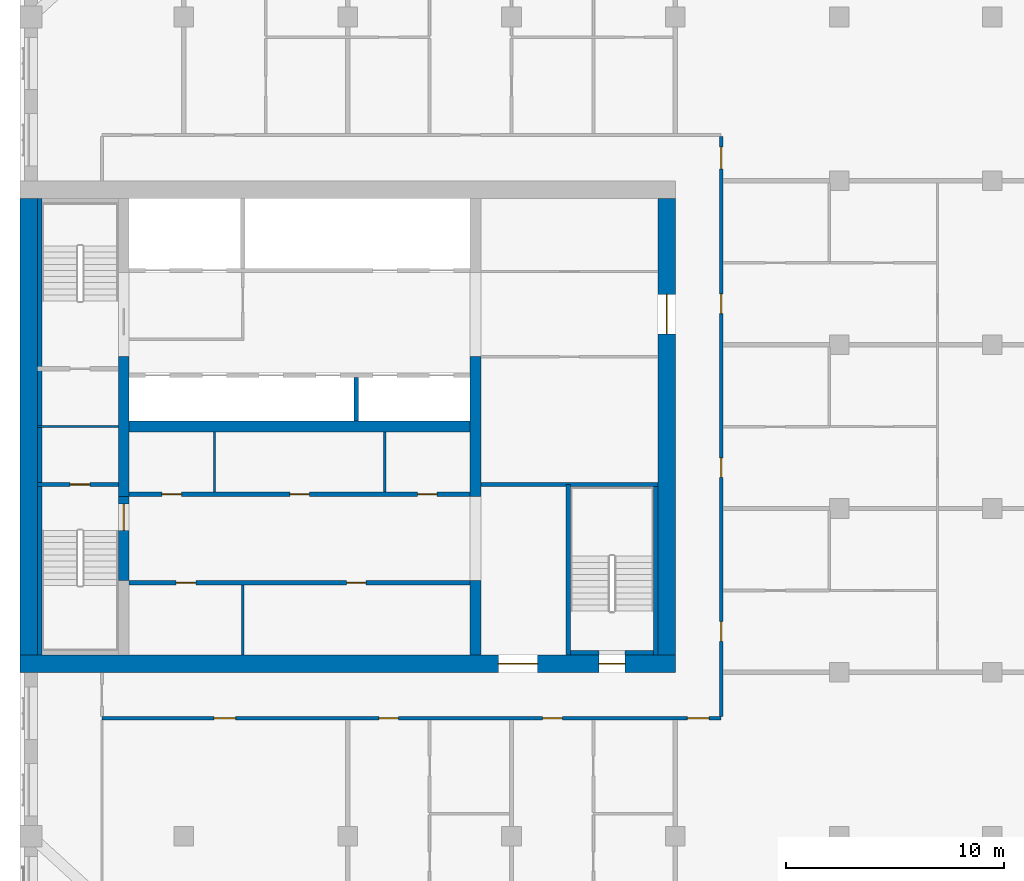
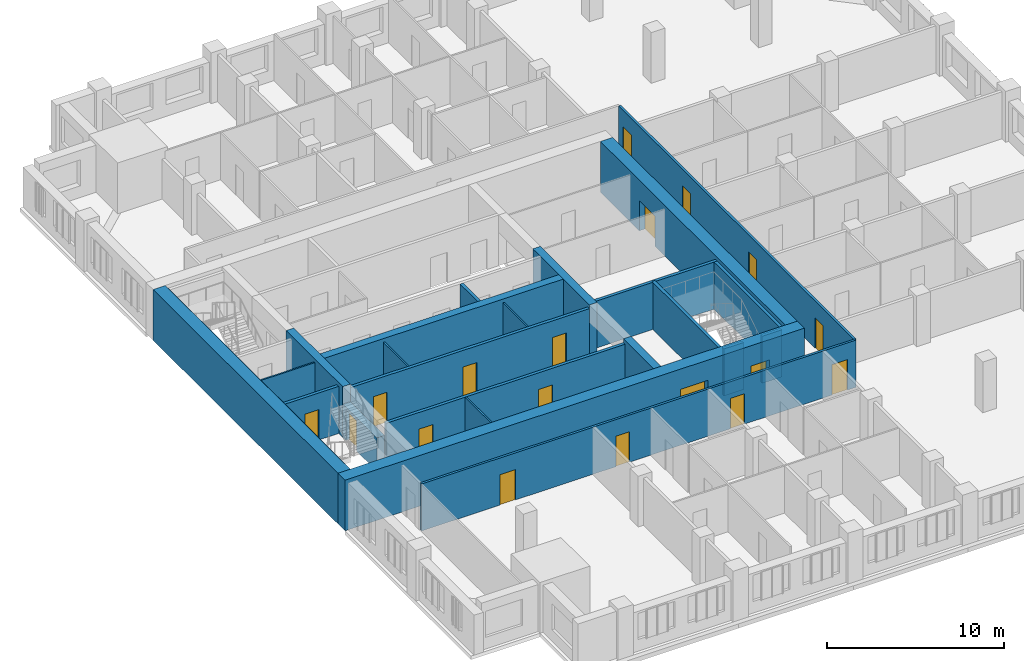
# One storey, part 7 of 14: 24 walls, 18 doors, 18 openings.
"""IFC4 building model written with IfcOpenShell, lengths in metres."""

from ifc_helpers import new_model, si_unit, direction, frame, frame_2d, origin, place, context, subcontext, project, spatial, rectangle, extrude, material, layer, layer_set, type_object, element, fill, save


model = new_model("IFC4")

# Units and contexts
model_context = context("Model", 3, precision=1e-05, world=origin(), true_north=direction((0.0, 1.0)))
body_context = subcontext(model_context, "Body", "Model", "MODEL_VIEW")
ifc_project = project(units=[si_unit("LENGTHUNIT", "METRE"), si_unit("AREAUNIT", "SQUARE_METRE"), si_unit("VOLUMEUNIT", "CUBIC_METRE"), si_unit("PLANEANGLEUNIT", "RADIAN"), si_unit("MASSUNIT", "GRAM", prefix="KILO")], contexts=[model_context])

# Site, building, storey
site_placement = place(None, origin())
site = spatial("IfcSite", under=ifc_project, at=site_placement, CompositionType="ELEMENT")
building_placement = place(site_placement, origin())
building = spatial("IfcBuilding", under=site, at=building_placement, Name="Tamorin Gate", CompositionType="ELEMENT")
storey_placement = place(building_placement, frame((0.0, 0.0, 203.699951171875)))
storey = spatial("IfcBuildingStorey", under=building, at=storey_placement, Name="L50", CompositionType="ELEMENT", Elevation=203.699951171875)

# Wall, openings, doors
ifc_material_1 = material(Name="Gypsum board partition")
ifc_layer_1 = layer(ifc_material_1, 0.14990234375)
ifc_layer_set_1 = layer_set([ifc_layer_1], Name="Corridor wall 150")
wall_type_1 = type_object("IfcWallType", Name="Corridor wall 150", PredefinedType="PARTITIONING", material=ifc_layer_set_1)
wall_1_placement = place(storey_placement, frame((33.75, 57.89990234375, 0.0), z_axis=(0.0, 0.0, 1.0), x_axis=(1.0, 0.0, 0.0)))
wall_1 = element("IfcWall", 1, at=wall_1_placement, inside=storey, type_object=wall_type_1, Name="Corridor wall 150", PredefinedType="PARTITIONING", context=body_context, shape_type="SweptSolid", body=[
    extrude(rectangle(XDim=28.35009765625, YDim=0.14990234375, at=frame_2d((14.175048828125, 0.0))), origin(), (0.0, 0.0, 1.0), 3.25),
])
opening_1_placement = place(wall_1_placement, frame((5.125, 0.0, 0.0)))
opening_1 = element("IfcOpeningElement", 2, at=opening_1_placement, cuts=wall_1, Name="Opening DR4002", PredefinedType="OPENING", context=body_context, shape_type="SweptSolid", body=[
    extrude(rectangle(XDim=1.0, YDim=2.10009765625, at=frame_2d((0.5, 1.050048828125))), frame((0.0, 0.0849609375, 0.0), z_axis=(0.0, -1.0, 0.0), x_axis=(1.0, 0.0, 0.0)), (0.0, 0.0, 1.0), 0.169921875),
])
opening_2_placement = place(wall_1_placement, frame((12.675048828125, 0.0, 0.0)))
opening_2 = element("IfcOpeningElement", 3, at=opening_2_placement, cuts=wall_1, Name="Opening DR4003", PredefinedType="OPENING", context=body_context, shape_type="SweptSolid", body=[
    extrude(rectangle(XDim=0.89990234375, YDim=2.10009765625, at=frame_2d((0.449951171875, 1.050048828125))), frame((0.0, 0.0849609375, 0.0), z_axis=(0.0, -1.0, 0.0), x_axis=(1.0, 0.0, 0.0)), (0.0, 0.0, 1.0), 0.169921875),
])
opening_3_placement = place(wall_1_placement, frame((20.175048828125, 0.0, 0.0)))
opening_3 = element("IfcOpeningElement", 4, at=opening_3_placement, cuts=wall_1, Name="Opening DR4008", PredefinedType="OPENING", context=body_context, shape_type="SweptSolid", body=[
    extrude(rectangle(XDim=0.89990234375, YDim=2.10009765625, at=frame_2d((0.449951171875, 1.050048828125))), frame((0.0, 0.0849609375, 0.0), z_axis=(0.0, -1.0, 0.0), x_axis=(1.0, 0.0, 0.0)), (0.0, 0.0, 1.0), 0.169921875),
])
opening_4_placement = place(wall_1_placement, frame((26.800048828125, 0.0, 0.0)))
opening_4 = element("IfcOpeningElement", 5, at=opening_4_placement, cuts=wall_1, Name="Opening DR4013", PredefinedType="OPENING", context=body_context, shape_type="SweptSolid", body=[
    extrude(rectangle(XDim=1.0, YDim=2.10009765625, at=frame_2d((0.5, 1.050048828125))), frame((0.0, 0.0849609375, 0.0), z_axis=(0.0, -1.0, 0.0), x_axis=(1.0, 0.0, 0.0)), (0.0, 0.0, 1.0), 0.169921875),
])
ifc_material_2 = material(Name="Timber door leaf", Category="wood")
door_type_1 = type_object("IfcDoorType", Name="Door 1000 x 2100 FD30S", OperationType="NOTDEFINED", PredefinedType="DOOR", material=ifc_material_2)
door_1_placement = place(opening_1_placement, origin())
door_1 = element("IfcDoor", 6, at=door_1_placement, inside=storey, type_object=door_type_1, Name="Door DR4002", OperationType="SINGLE_SWING_RIGHT", OverallHeight=2.10009765625, OverallWidth=1.0, PredefinedType="DOOR", context=body_context, shape_type="SweptSolid", body=[
    extrude(rectangle(XDim=1.0, YDim=2.10009765625, at=frame_2d((0.5, 1.050048828125))), frame((0.0, 0.02490234375, 0.0), z_axis=(0.0, -1.0, 0.0), x_axis=(1.0, 0.0, 0.0)), (0.0, 0.0, 1.0), 0.050048828125),
])
fill(opening_1, door_1)
door_2_placement = place(opening_4_placement, origin())
door_2 = element("IfcDoor", 7, at=door_2_placement, inside=storey, type_object=door_type_1, Name="Door DR4013", OperationType="SINGLE_SWING_RIGHT", OverallHeight=2.10009765625, OverallWidth=1.0, PredefinedType="DOOR", context=body_context, shape_type="SweptSolid", body=[
    extrude(rectangle(XDim=1.0, YDim=2.10009765625, at=frame_2d((0.5, 1.050048828125))), frame((0.0, 0.02490234375, 0.0), z_axis=(0.0, -1.0, 0.0), x_axis=(1.0, 0.0, 0.0)), (0.0, 0.0, 1.0), 0.050048828125),
])
fill(opening_4, door_2)
door_type_2 = type_object("IfcDoorType", Name="Door 900 x 2100 FD30S", OperationType="NOTDEFINED", PredefinedType="DOOR", material=ifc_material_2)
door_3_placement = place(opening_2_placement, origin())
door_3 = element("IfcDoor", 8, at=door_3_placement, inside=storey, type_object=door_type_2, Name="Door DR4003", OperationType="SINGLE_SWING_RIGHT", OverallHeight=2.10009765625, OverallWidth=0.89990234375, PredefinedType="DOOR", context=body_context, shape_type="SweptSolid", body=[
    extrude(rectangle(XDim=0.89990234375, YDim=2.10009765625, at=frame_2d((0.449951171875, 1.050048828125))), frame((0.0, 0.02490234375, 0.0), z_axis=(0.0, -1.0, 0.0), x_axis=(1.0, 0.0, 0.0)), (0.0, 0.0, 1.0), 0.050048828125),
])
fill(opening_2, door_3)
door_4_placement = place(opening_3_placement, origin())
door_4 = element("IfcDoor", 9, at=door_4_placement, inside=storey, type_object=door_type_2, Name="Door DR4008", OperationType="SINGLE_SWING_RIGHT", OverallHeight=2.10009765625, OverallWidth=0.89990234375, PredefinedType="DOOR", context=body_context, shape_type="SweptSolid", body=[
    extrude(rectangle(XDim=0.89990234375, YDim=2.10009765625, at=frame_2d((0.449951171875, 1.050048828125))), frame((0.0, 0.02490234375, 0.0), z_axis=(0.0, -1.0, 0.0), x_axis=(1.0, 0.0, 0.0)), (0.0, 0.0, 1.0), 0.050048828125),
])
fill(opening_3, door_4)

wall_2_placement = place(storey_placement, frame((62.10009765625, 57.97509765625, 0.0), z_axis=(0.0, 0.0, 1.0), x_axis=(0.0, 1.0, 0.0)))
wall_2 = element("IfcWall", 10, at=wall_2_placement, inside=storey, type_object=wall_type_1, Name="Corridor wall 150", PredefinedType="PARTITIONING", context=body_context, shape_type="SweptSolid", body=[
    extrude(rectangle(XDim=26.5498046875, YDim=0.14990234375, at=frame_2d((13.27490234375, 0.0))), origin(), (0.0, 0.0, 1.0), 3.25),
])
opening_5_placement = place(wall_2_placement, frame((25.074951171875, 0.0, 0.0)))
opening_5 = element("IfcOpeningElement", 11, at=opening_5_placement, cuts=wall_2, Name="Opening DR4030", PredefinedType="OPENING", context=body_context, shape_type="SweptSolid", body=[
    extrude(rectangle(XDim=1.0, YDim=2.10009765625, at=frame_2d((0.5, 1.050048828125))), frame((0.0, 0.0849609375, 0.0), z_axis=(0.0, -1.0, 0.0), x_axis=(1.0, 0.0, 0.0)), (0.0, 0.0, 1.0), 0.169921875),
])
opening_6_placement = place(wall_2_placement, frame((3.449951171875, 0.0, 0.0)))
opening_6 = element("IfcOpeningElement", 12, at=opening_6_placement, cuts=wall_2, Name="Opening DR4031", PredefinedType="OPENING", context=body_context, shape_type="SweptSolid", body=[
    extrude(rectangle(XDim=0.89990234375, YDim=2.10009765625, at=frame_2d((0.449951171875, 1.050048828125))), frame((0.0, 0.0849609375, 0.0), z_axis=(0.0, -1.0, 0.0), x_axis=(1.0, 0.0, 0.0)), (0.0, 0.0, 1.0), 0.169921875),
])
opening_7_placement = place(wall_2_placement, frame((10.949951171875, 0.0, 0.0)))
opening_7 = element("IfcOpeningElement", 13, at=opening_7_placement, cuts=wall_2, Name="Opening DR4035", PredefinedType="OPENING", context=body_context, shape_type="SweptSolid", body=[
    extrude(rectangle(XDim=0.89990234375, YDim=2.10009765625, at=frame_2d((0.449951171875, 1.050048828125))), frame((0.0, 0.0849609375, 0.0), z_axis=(0.0, -1.0, 0.0), x_axis=(1.0, 0.0, 0.0)), (0.0, 0.0, 1.0), 0.169921875),
])
opening_8_placement = place(wall_2_placement, frame((18.449951171875, 0.0, 0.0)))
opening_8 = element("IfcOpeningElement", 14, at=opening_8_placement, cuts=wall_2, Name="Opening DR4039", PredefinedType="OPENING", context=body_context, shape_type="SweptSolid", body=[
    extrude(rectangle(XDim=0.89990234375, YDim=2.10009765625, at=frame_2d((0.449951171875, 1.050048828125))), frame((0.0, 0.0849609375, 0.0), z_axis=(0.0, -1.0, 0.0), x_axis=(1.0, 0.0, 0.0)), (0.0, 0.0, 1.0), 0.169921875),
])
door_5_placement = place(opening_5_placement, origin())
door_5 = element("IfcDoor", 15, at=door_5_placement, inside=storey, type_object=door_type_1, Name="Door DR4030", OperationType="SINGLE_SWING_RIGHT", OverallHeight=2.10009765625, OverallWidth=1.0, PredefinedType="DOOR", context=body_context, shape_type="SweptSolid", body=[
    extrude(rectangle(XDim=1.0, YDim=2.10009765625, at=frame_2d((0.5, 1.050048828125))), frame((0.0, 0.02490234375, 0.0), z_axis=(0.0, -1.0, 0.0), x_axis=(1.0, 0.0, 0.0)), (0.0, 0.0, 1.0), 0.050048828125),
])
fill(opening_5, door_5)
door_6_placement = place(opening_6_placement, origin())
door_6 = element("IfcDoor", 16, at=door_6_placement, inside=storey, type_object=door_type_2, Name="Door DR4031", OperationType="SINGLE_SWING_RIGHT", OverallHeight=2.10009765625, OverallWidth=0.89990234375, PredefinedType="DOOR", context=body_context, shape_type="SweptSolid", body=[
    extrude(rectangle(XDim=0.89990234375, YDim=2.10009765625, at=frame_2d((0.449951171875, 1.050048828125))), frame((0.0, 0.02490234375, 0.0), z_axis=(0.0, -1.0, 0.0), x_axis=(1.0, 0.0, 0.0)), (0.0, 0.0, 1.0), 0.050048828125),
])
fill(opening_6, door_6)
door_7_placement = place(opening_7_placement, origin())
door_7 = element("IfcDoor", 17, at=door_7_placement, inside=storey, type_object=door_type_2, Name="Door DR4035", OperationType="SINGLE_SWING_RIGHT", OverallHeight=2.10009765625, OverallWidth=0.89990234375, PredefinedType="DOOR", context=body_context, shape_type="SweptSolid", body=[
    extrude(rectangle(XDim=0.89990234375, YDim=2.10009765625, at=frame_2d((0.449951171875, 1.050048828125))), frame((0.0, 0.02490234375, 0.0), z_axis=(0.0, -1.0, 0.0), x_axis=(1.0, 0.0, 0.0)), (0.0, 0.0, 1.0), 0.050048828125),
])
fill(opening_7, door_7)
door_8_placement = place(opening_8_placement, origin())
door_8 = element("IfcDoor", 18, at=door_8_placement, inside=storey, type_object=door_type_2, Name="Door DR4039", OperationType="SINGLE_SWING_RIGHT", OverallHeight=2.10009765625, OverallWidth=0.89990234375, PredefinedType="DOOR", context=body_context, shape_type="SweptSolid", body=[
    extrude(rectangle(XDim=0.89990234375, YDim=2.10009765625, at=frame_2d((0.449951171875, 1.050048828125))), frame((0.0, 0.02490234375, 0.0), z_axis=(0.0, -1.0, 0.0), x_axis=(1.0, 0.0, 0.0)), (0.0, 0.0, 1.0), 0.050048828125),
])
fill(opening_8, door_8)

# Walls
ifc_material_3 = material(Name="Concrete C32/40", Category="concrete")
ifc_layer_2 = layer(ifc_material_3, 0.199951171875)
ifc_layer_set_2 = layer_set([ifc_layer_2], Name="Lift shaft wall 200 EI 120")
wall_type_2 = type_object("IfcWallType", Name="Lift shaft wall 200 EI 120", PredefinedType="SOLIDWALL", material=ifc_layer_set_2)
wall_3_placement = place(storey_placement, frame((45.39990234375, 71.5, 0.0), z_axis=(0.0, 0.0, 1.0), x_axis=(0.0, 1.0, 0.0)))
element("IfcWall", 19, at=wall_3_placement, inside=storey, type_object=wall_type_2, Name="Lift shaft wall", PredefinedType="SOLIDWALL", context=body_context, shape_type="SweptSolid", body=[
    extrude(rectangle(XDim=2.0, YDim=0.199951171875, at=frame_2d((1.0, 0.0))), origin(), (0.0, 0.0, 1.0), 3.5),
])
ifc_material_4 = material(Name="Concrete C60/75", Category="concrete")
ifc_layer_3 = layer(ifc_material_4, 0.5)
ifc_layer_set_3 = layer_set([ifc_layer_3], Name="RC core internal wall 500 C60/75")
wall_type_3 = type_object("IfcWallType", Name="RC core internal wall 500 C60/75", PredefinedType="SHEAR", material=ifc_layer_set_3)
wall_4_placement = place(storey_placement, frame((35.0, 71.25, 0.0), z_axis=(0.0, 0.0, 1.0), x_axis=(1.0, 0.0, 0.0)))
element("IfcWall", 20, at=wall_4_placement, inside=storey, type_object=wall_type_3, Name="Core spine wall L50", PredefinedType="SHEAR", context=body_context, shape_type="SweptSolid", body=[
    extrude(rectangle(XDim=15.60009765625, YDim=0.5, at=frame_2d((7.800048828125, 0.0))), origin(), (0.0, 0.0, 1.0), 3.5),
])
wall_5_placement = place(storey_placement, frame((34.75, 68.050048828125, 0.0), z_axis=(0.0, 0.0, 1.0), x_axis=(0.0, 1.0, 0.0)))
element("IfcWall", 21, at=wall_5_placement, inside=storey, type_object=wall_type_3, Name="Core cross wall L50", PredefinedType="SHEAR", context=body_context, shape_type="SweptSolid", body=[
    extrude(rectangle(XDim=6.39990234375, YDim=0.5, at=frame_2d((3.199951171875, 0.0))), origin(), (0.0, 0.0, 1.0), 3.5),
])
wall_6_placement = place(storey_placement, frame((50.85009765625, 60.800048828125, 0.0), z_axis=(0.0, 0.0, 1.0), x_axis=(0.0, 1.0, 0.0)))
element("IfcWall", 22, at=wall_6_placement, inside=storey, type_object=wall_type_3, Name="Core cross wall L50", PredefinedType="SHEAR", context=body_context, shape_type="SweptSolid", body=[
    extrude(rectangle(XDim=3.39990234375, YDim=0.5, at=frame_2d((1.699951171875, 0.0))), origin(), (0.0, 0.0, 1.0), 3.5),
])
wall_7_placement = place(storey_placement, frame((50.85009765625, 68.050048828125, 0.0), z_axis=(0.0, 0.0, 1.0), x_axis=(0.0, 1.0, 0.0)))
element("IfcWall", 23, at=wall_7_placement, inside=storey, type_object=wall_type_3, Name="Core cross wall L50", PredefinedType="SHEAR", context=body_context, shape_type="SweptSolid", body=[
    extrude(rectangle(XDim=6.39990234375, YDim=0.5, at=frame_2d((3.199951171875, 0.0))), origin(), (0.0, 0.0, 1.0), 3.5),
])

# Wall, openings, doors
ifc_layer_4 = layer(ifc_material_4, 0.800048828125)
ifc_layer_set_4 = layer_set([ifc_layer_4], Name="RC core wall 800 C60/75")
wall_type_4 = type_object("IfcWallType", Name="RC core wall 800 C60/75", PredefinedType="SHEAR", material=ifc_layer_set_4)
wall_8_placement = place(storey_placement, frame((30.0, 60.39990234375, 0.0), z_axis=(0.0, 0.0, 1.0), x_axis=(1.0, 0.0, 0.0)))
wall_8 = element("IfcWall", 24, at=wall_8_placement, inside=storey, type_object=wall_type_4, Name="Core wall L50", PredefinedType="SHEAR", context=body_context, shape_type="SweptSolid", body=[
    extrude(rectangle(XDim=30.0, YDim=0.800048828125, at=frame_2d((15.0, 0.0))), origin(), (0.0, 0.0, 1.0), 3.5),
])
opening_9_placement = place(wall_8_placement, frame((21.89990234375, 0.0, 0.0)))
opening_9 = element("IfcOpeningElement", 25, at=opening_9_placement, cuts=wall_8, Name="Opening DE1", PredefinedType="OPENING", context=body_context, shape_type="SweptSolid", body=[
    extrude(rectangle(XDim=1.800048828125, YDim=2.10009765625, at=frame_2d((0.89990234375, 1.050048828125))), frame((0.0, 0.409912109375, 0.0), z_axis=(0.0, -1.0, 0.0), x_axis=(1.0, 0.0, 0.0)), (0.0, 0.0, 1.0), 0.820068359375),
])
opening_10_placement = place(wall_8_placement, frame((26.5, 0.0, 0.0)))
opening_10 = element("IfcOpeningElement", 26, at=opening_10_placement, cuts=wall_8, Name="Opening DS1", PredefinedType="OPENING", context=body_context, shape_type="SweptSolid", body=[
    extrude(rectangle(XDim=1.199951171875, YDim=2.10009765625, at=frame_2d((0.60009765625, 1.050048828125))), frame((0.0, 0.409912109375, 0.0), z_axis=(0.0, -1.0, 0.0), x_axis=(1.0, 0.0, 0.0)), (0.0, 0.0, 1.0), 0.820068359375),
])
ifc_material_5 = material(Name="Steel fire door", Category="steel")
door_type_3 = type_object("IfcDoorType", Name="Lobby exit double door 1800 x 2100 EI 60", OperationType="DOUBLE_DOOR_SINGLE_SWING", PredefinedType="DOOR", material=ifc_material_5)
door_9_placement = place(opening_9_placement, origin())
door_9 = element("IfcDoor", 27, at=door_9_placement, inside=storey, type_object=door_type_3, Name="Lift lobby A exit door", OperationType="DOUBLE_DOOR_SINGLE_SWING", OverallHeight=2.10009765625, OverallWidth=1.800048828125, PredefinedType="DOOR", context=body_context, shape_type="SweptSolid", body=[
    extrude(rectangle(XDim=1.800048828125, YDim=2.10009765625, at=frame_2d((0.89990234375, 1.050048828125))), frame((0.0, 0.02490234375, 0.0), z_axis=(0.0, -1.0, 0.0), x_axis=(1.0, 0.0, 0.0)), (0.0, 0.0, 1.0), 0.050048828125),
])
fill(opening_9, door_9)
door_type_4 = type_object("IfcDoorType", Name="Stair door 1200 x 2100 EI 90", OperationType="SINGLE_SWING_LEFT", PredefinedType="DOOR", material=ifc_material_5)
door_10_placement = place(opening_10_placement, origin())
door_10 = element("IfcDoor", 28, at=door_10_placement, inside=storey, type_object=door_type_4, Name="ST3 door", OperationType="SINGLE_SWING_LEFT", OverallHeight=2.10009765625, OverallWidth=1.199951171875, PredefinedType="DOOR", context=body_context, shape_type="SweptSolid", body=[
    extrude(rectangle(XDim=1.199951171875, YDim=2.10009765625, at=frame_2d((0.60009765625, 1.050048828125))), frame((0.0, 0.02490234375, 0.0), z_axis=(0.0, -1.0, 0.0), x_axis=(1.0, 0.0, 0.0)), (0.0, 0.0, 1.0), 0.050048828125),
])
fill(opening_10, door_10)

# Wall
wall_9_placement = place(storey_placement, frame((30.39990234375, 60.800048828125, 0.0), z_axis=(0.0, 0.0, 1.0), x_axis=(0.0, 1.0, 0.0)))
element("IfcWall", 29, at=wall_9_placement, inside=storey, type_object=wall_type_4, Name="Core wall L50", PredefinedType="SHEAR", context=body_context, shape_type="SweptSolid", body=[
    extrude(rectangle(XDim=20.89990234375, YDim=0.800048828125, at=frame_2d((10.449951171875, 0.0))), origin(), (0.0, 0.0, 1.0), 3.5),
])

# Wall, opening, door
wall_10_placement = place(storey_placement, frame((59.60009765625, 60.800048828125, 0.0), z_axis=(0.0, 0.0, 1.0), x_axis=(0.0, 1.0, 0.0)))
wall_10 = element("IfcWall", 30, at=wall_10_placement, inside=storey, type_object=wall_type_4, Name="Core wall L50", PredefinedType="SHEAR", context=body_context, shape_type="SweptSolid", body=[
    extrude(rectangle(XDim=20.89990234375, YDim=0.800048828125, at=frame_2d((10.449951171875, 0.0))), origin(), (0.0, 0.0, 1.0), 3.5),
])
opening_11_placement = place(wall_10_placement, frame((14.699951171875, 0.0, 0.0)))
opening_11 = element("IfcOpeningElement", 31, at=opening_11_placement, cuts=wall_10, Name="Opening DE1", PredefinedType="OPENING", context=body_context, shape_type="SweptSolid", body=[
    extrude(rectangle(XDim=1.800048828125, YDim=2.10009765625, at=frame_2d((0.89990234375, 1.050048828125))), frame((0.0, 0.409912109375, 0.0), z_axis=(0.0, -1.0, 0.0), x_axis=(1.0, 0.0, 0.0)), (0.0, 0.0, 1.0), 0.820068359375),
])
door_11_placement = place(opening_11_placement, origin())
door_11 = element("IfcDoor", 32, at=door_11_placement, inside=storey, type_object=door_type_3, Name="Lift lobby B exit door", OperationType="DOUBLE_DOOR_SINGLE_SWING", OverallHeight=2.10009765625, OverallWidth=1.800048828125, PredefinedType="DOOR", context=body_context, shape_type="SweptSolid", body=[
    extrude(rectangle(XDim=1.800048828125, YDim=2.10009765625, at=frame_2d((0.89990234375, 1.050048828125))), frame((0.0, 0.02490234375, 0.0), z_axis=(0.0, -1.0, 0.0), x_axis=(1.0, 0.0, 0.0)), (0.0, 0.0, 1.0), 0.050048828125),
])
fill(opening_11, door_11)

# Wall
ifc_material_6 = material(Name="Fire-rated gypsum board partition")
ifc_layer_5 = layer(ifc_material_6, 0.10009765625)
ifc_layer_set_5 = layer_set([ifc_layer_5], Name="Riser partition 100 EI 120")
wall_type_5 = type_object("IfcWallType", Name="Riser partition 100 EI 120", PredefinedType="PARTITIONING", material=ifc_layer_set_5)
wall_11_placement = place(storey_placement, frame((30.800048828125, 71.25, 0.0), z_axis=(0.0, 0.0, 1.0), x_axis=(1.0, 0.0, 0.0)))
element("IfcWall", 33, at=wall_11_placement, inside=storey, type_object=wall_type_5, Name="Riser partition", PredefinedType="PARTITIONING", context=body_context, shape_type="SweptSolid", body=[
    extrude(rectangle(XDim=3.699951171875, YDim=0.10009765625, at=frame_2d((1.85009765625, 0.0))), origin(), (0.0, 0.0, 1.0), 3.25),
])

# Wall, openings, doors
ifc_layer_6 = layer(ifc_material_1, 0.199951171875)
ifc_layer_set_6 = layer_set([ifc_layer_6], Name="Service room face wall 200 EI 60")
wall_type_6 = type_object("IfcWallType", Name="Service room face wall 200 EI 60", PredefinedType="PARTITIONING", material=ifc_layer_set_6)
wall_12_placement = place(storey_placement, frame((35.0, 64.10009765625, 0.0), z_axis=(0.0, 0.0, 1.0), x_axis=(1.0, 0.0, 0.0)))
wall_12 = element("IfcWall", 34, at=wall_12_placement, inside=storey, type_object=wall_type_6, Name="Service room face wall", PredefinedType="PARTITIONING", context=body_context, shape_type="SweptSolid", body=[
    extrude(rectangle(XDim=15.60009765625, YDim=0.199951171875, at=frame_2d((7.800048828125, 0.0))), origin(), (0.0, 0.0, 1.0), 3.25),
])
opening_12_placement = place(wall_12_placement, frame((2.14990234375, 0.0, 0.0)))
opening_12 = element("IfcOpeningElement", 35, at=opening_12_placement, cuts=wall_12, Name="Opening DK1", PredefinedType="OPENING", context=body_context, shape_type="SweptSolid", body=[
    extrude(rectangle(XDim=0.89990234375, YDim=2.10009765625, at=frame_2d((0.449951171875, 1.050048828125))), frame((0.0, 0.10986328125, 0.0), z_axis=(0.0, -1.0, 0.0), x_axis=(1.0, 0.0, 0.0)), (0.0, 0.0, 1.0), 0.219970703125),
])
opening_13_placement = place(wall_12_placement, frame((9.949951171875, 0.0, 0.0)))
opening_13 = element("IfcOpeningElement", 36, at=opening_13_placement, cuts=wall_12, Name="Opening DK1", PredefinedType="OPENING", context=body_context, shape_type="SweptSolid", body=[
    extrude(rectangle(XDim=0.89990234375, YDim=2.10009765625, at=frame_2d((0.449951171875, 1.050048828125))), frame((0.0, 0.10986328125, 0.0), z_axis=(0.0, -1.0, 0.0), x_axis=(1.0, 0.0, 0.0)), (0.0, 0.0, 1.0), 0.219970703125),
])
ifc_material_7 = material(Name="Timber fire door", Category="wood")
door_type_5 = type_object("IfcDoorType", Name="Service room door 900 x 2100 EI 60", OperationType="SINGLE_SWING_LEFT", PredefinedType="DOOR", material=ifc_material_7)
door_12_placement = place(opening_12_placement, origin())
door_12 = element("IfcDoor", 37, at=door_12_placement, inside=storey, type_object=door_type_5, Name="Door Parcel and storage room", OperationType="SINGLE_SWING_RIGHT", OverallHeight=2.10009765625, OverallWidth=0.89990234375, PredefinedType="DOOR", context=body_context, shape_type="SweptSolid", body=[
    extrude(rectangle(XDim=0.89990234375, YDim=2.10009765625, at=frame_2d((0.449951171875, 1.050048828125))), frame((0.0, 0.02490234375, 0.0), z_axis=(0.0, -1.0, 0.0), x_axis=(1.0, 0.0, 0.0)), (0.0, 0.0, 1.0), 0.050048828125),
])
fill(opening_12, door_12)
door_13_placement = place(opening_13_placement, origin())
door_13 = element("IfcDoor", 38, at=door_13_placement, inside=storey, type_object=door_type_5, Name="Door Refuse and recycling room", OperationType="SINGLE_SWING_LEFT", OverallHeight=2.10009765625, OverallWidth=0.89990234375, PredefinedType="DOOR", context=body_context, shape_type="SweptSolid", body=[
    extrude(rectangle(XDim=0.89990234375, YDim=2.10009765625, at=frame_2d((0.449951171875, 1.050048828125))), frame((0.0, 0.02490234375, 0.0), z_axis=(0.0, -1.0, 0.0), x_axis=(1.0, 0.0, 0.0)), (0.0, 0.0, 1.0), 0.050048828125),
])
fill(opening_13, door_13)

wall_13_placement = place(storey_placement, frame((35.0, 68.14990234375, 0.0), z_axis=(0.0, 0.0, 1.0), x_axis=(1.0, 0.0, 0.0)))
wall_13 = element("IfcWall", 39, at=wall_13_placement, inside=storey, type_object=wall_type_6, Name="Service room face wall", PredefinedType="PARTITIONING", context=body_context, shape_type="SweptSolid", body=[
    extrude(rectangle(XDim=15.60009765625, YDim=0.199951171875, at=frame_2d((7.800048828125, 0.0))), origin(), (0.0, 0.0, 1.0), 3.25),
])
opening_14_placement = place(wall_13_placement, frame((1.5, 0.0, 0.0)))
opening_14 = element("IfcOpeningElement", 40, at=opening_14_placement, cuts=wall_13, Name="Opening DK1", PredefinedType="OPENING", context=body_context, shape_type="SweptSolid", body=[
    extrude(rectangle(XDim=0.89990234375, YDim=2.10009765625, at=frame_2d((0.449951171875, 1.050048828125))), frame((0.0, 0.10986328125, 0.0), z_axis=(0.0, -1.0, 0.0), x_axis=(1.0, 0.0, 0.0)), (0.0, 0.0, 1.0), 0.219970703125),
])
opening_15_placement = place(wall_13_placement, frame((7.35009765625, 0.0, 0.0)))
opening_15 = element("IfcOpeningElement", 41, at=opening_15_placement, cuts=wall_13, Name="Opening DK1", PredefinedType="OPENING", context=body_context, shape_type="SweptSolid", body=[
    extrude(rectangle(XDim=0.89990234375, YDim=2.10009765625, at=frame_2d((0.449951171875, 1.050048828125))), frame((0.0, 0.10986328125, 0.0), z_axis=(0.0, -1.0, 0.0), x_axis=(1.0, 0.0, 0.0)), (0.0, 0.0, 1.0), 0.219970703125),
])
opening_16_placement = place(wall_13_placement, frame((13.199951171875, 0.0, 0.0)))
opening_16 = element("IfcOpeningElement", 42, at=opening_16_placement, cuts=wall_13, Name="Opening DK1", PredefinedType="OPENING", context=body_context, shape_type="SweptSolid", body=[
    extrude(rectangle(XDim=0.89990234375, YDim=2.10009765625, at=frame_2d((0.449951171875, 1.050048828125))), frame((0.0, 0.10986328125, 0.0), z_axis=(0.0, -1.0, 0.0), x_axis=(1.0, 0.0, 0.0)), (0.0, 0.0, 1.0), 0.219970703125),
])
door_14_placement = place(opening_14_placement, origin())
door_14 = element("IfcDoor", 43, at=door_14_placement, inside=storey, type_object=door_type_5, Name="Door Housekeeping store", OperationType="SINGLE_SWING_RIGHT", OverallHeight=2.10009765625, OverallWidth=0.89990234375, PredefinedType="DOOR", context=body_context, shape_type="SweptSolid", body=[
    extrude(rectangle(XDim=0.89990234375, YDim=2.10009765625, at=frame_2d((0.449951171875, 1.050048828125))), frame((0.0, 0.02490234375, 0.0), z_axis=(0.0, -1.0, 0.0), x_axis=(1.0, 0.0, 0.0)), (0.0, 0.0, 1.0), 0.050048828125),
])
fill(opening_14, door_14)
door_15_placement = place(opening_15_placement, origin())
door_15 = element("IfcDoor", 44, at=door_15_placement, inside=storey, type_object=door_type_5, Name="Door Electrical and IT room", OperationType="SINGLE_SWING_LEFT", OverallHeight=2.10009765625, OverallWidth=0.89990234375, PredefinedType="DOOR", context=body_context, shape_type="SweptSolid", body=[
    extrude(rectangle(XDim=0.89990234375, YDim=2.10009765625, at=frame_2d((0.449951171875, 1.050048828125))), frame((0.0, 0.02490234375, 0.0), z_axis=(0.0, -1.0, 0.0), x_axis=(1.0, 0.0, 0.0)), (0.0, 0.0, 1.0), 0.050048828125),
])
fill(opening_15, door_15)
door_16_placement = place(opening_16_placement, origin())
door_16 = element("IfcDoor", 45, at=door_16_placement, inside=storey, type_object=door_type_5, Name="Door Cleaner's store", OperationType="SINGLE_SWING_RIGHT", OverallHeight=2.10009765625, OverallWidth=0.89990234375, PredefinedType="DOOR", context=body_context, shape_type="SweptSolid", body=[
    extrude(rectangle(XDim=0.89990234375, YDim=2.10009765625, at=frame_2d((0.449951171875, 1.050048828125))), frame((0.0, 0.02490234375, 0.0), z_axis=(0.0, -1.0, 0.0), x_axis=(1.0, 0.0, 0.0)), (0.0, 0.0, 1.0), 0.050048828125),
])
fill(opening_16, door_16)

# Walls
ifc_layer_7 = layer(ifc_material_1, 0.10009765625)
ifc_layer_set_7 = layer_set([ifc_layer_7], Name="Service room partition 100 EI 60")
wall_type_7 = type_object("IfcWallType", Name="Service room partition 100 EI 60", PredefinedType="PARTITIONING", material=ifc_layer_set_7)
wall_14_placement = place(storey_placement, frame((40.199951171875, 60.800048828125, 0.0), z_axis=(0.0, 0.0, 1.0), x_axis=(0.0, 1.0, 0.0)))
element("IfcWall", 46, at=wall_14_placement, inside=storey, type_object=wall_type_7, Name="Service room partition", PredefinedType="PARTITIONING", context=body_context, shape_type="SweptSolid", body=[
    extrude(rectangle(XDim=3.199951171875, YDim=0.10009765625, at=frame_2d((1.60009765625, 0.0))), origin(), (0.0, 0.0, 1.0), 3.25),
])
for number, where, z_axis, x_axis, name in (
    (47, (38.89990234375, 68.25, 0.0), (0.0, 0.0, 1.0), (0.0, 1.0, 0.0), "Service room partition"),
    (48, (46.699951171875, 68.25, 0.0), (0.0, 0.0, 1.0), (0.0, 1.0, 0.0), "Service room partition"),
):
    element("IfcWall", number, at=place(storey_placement, frame(where, z_axis=z_axis, x_axis=x_axis)), inside=storey, type_object=wall_type_7, Name=name, PredefinedType="PARTITIONING", context=body_context, shape_type="SweptSolid", body=[
        extrude(rectangle(XDim=2.75, YDim=0.10009765625, at=frame_2d((1.375, 0.0))), origin(), (0.0, 0.0, 1.0), 3.25),
    ])

# Wall, opening, door
ifc_material_8 = material(Name="Concrete C40/50", Category="concrete")
ifc_layer_8 = layer(ifc_material_8, 0.199951171875)
ifc_layer_set_8 = layer_set([ifc_layer_8], Name="Stair enclosure wall 200 EI 120 C40/50")
wall_type_8 = type_object("IfcWallType", Name="Stair enclosure wall 200 EI 120 C40/50", PredefinedType="SOLIDWALL", material=ifc_layer_set_8)
wall_15_placement = place(storey_placement, frame((30.800048828125, 68.60009765625, 0.0), z_axis=(0.0, 0.0, 1.0), x_axis=(1.0, 0.0, 0.0)))
wall_15 = element("IfcWall", 49, at=wall_15_placement, inside=storey, type_object=wall_type_8, Name="Stair enclosure wall", PredefinedType="SOLIDWALL", context=body_context, shape_type="SweptSolid", body=[
    extrude(rectangle(XDim=3.699951171875, YDim=0.199951171875, at=frame_2d((1.85009765625, 0.0))), origin(), (0.0, 0.0, 1.0), 3.25),
])
opening_17_placement = place(wall_15_placement, frame((1.5, 0.0, 0.0)))
opening_17 = element("IfcOpeningElement", 50, at=opening_17_placement, cuts=wall_15, Name="Opening DR1", PredefinedType="OPENING", context=body_context, shape_type="SweptSolid", body=[
    extrude(rectangle(XDim=0.89990234375, YDim=2.10009765625, at=frame_2d((0.449951171875, 1.050048828125))), frame((0.0, 0.10986328125, 0.0), z_axis=(0.0, -1.0, 0.0), x_axis=(1.0, 0.0, 0.0)), (0.0, 0.0, 1.0), 0.219970703125),
])
door_type_6 = type_object("IfcDoorType", Name="Riser access door 900 x 2100 EI 120", OperationType="SINGLE_SWING_LEFT", PredefinedType="DOOR", material=ifc_material_5)
door_17_placement = place(opening_17_placement, origin())
door_17 = element("IfcDoor", 51, at=door_17_placement, inside=storey, type_object=door_type_6, Name="Electrical riser door", OperationType="SINGLE_SWING_LEFT", OverallHeight=2.10009765625, OverallWidth=0.89990234375, PredefinedType="DOOR", context=body_context, shape_type="SweptSolid", body=[
    extrude(rectangle(XDim=0.89990234375, YDim=2.10009765625, at=frame_2d((0.449951171875, 1.050048828125))), frame((0.0, 0.02490234375, 0.0), z_axis=(0.0, -1.0, 0.0), x_axis=(1.0, 0.0, 0.0)), (0.0, 0.0, 1.0), 0.050048828125),
])
fill(opening_17, door_17)

# Walls
wall_16_placement = place(storey_placement, frame((55.10009765625, 60.800048828125, 0.0), z_axis=(0.0, 0.0, 1.0), x_axis=(0.0, 1.0, 0.0)))
element("IfcWall", 52, at=wall_16_placement, inside=storey, type_object=wall_type_8, Name="Stair enclosure wall", PredefinedType="SOLIDWALL", context=body_context, shape_type="SweptSolid", body=[
    extrude(rectangle(XDim=7.800048828125, YDim=0.199951171875, at=frame_2d((3.89990234375, 0.0))), origin(), (0.0, 0.0, 1.0), 3.25),
])
wall_17_placement = place(storey_placement, frame((51.10009765625, 68.60009765625, 0.0), z_axis=(0.0, 0.0, 1.0), x_axis=(1.0, 0.0, 0.0)))
element("IfcWall", 53, at=wall_17_placement, inside=storey, type_object=wall_type_8, Name="Stair enclosure wall", PredefinedType="SOLIDWALL", context=body_context, shape_type="SweptSolid", body=[
    extrude(rectangle(XDim=8.099853515625, YDim=0.199951171875, at=frame_2d((4.0498046875, 0.0))), origin(), (0.0, 0.0, 1.0), 3.25),
])
ifc_layer_9 = layer(ifc_material_4, 0.199951171875)
ifc_layer_set_9 = layer_set([ifc_layer_9], Name="Stair lining wall 200 EI 120 C60/75")
wall_type_9 = type_object("IfcWallType", Name="Stair lining wall 200 EI 120 C60/75", PredefinedType="SOLIDWALL", material=ifc_layer_set_9)
wall_18_placement = place(storey_placement, frame((30.89990234375, 60.800048828125, 0.0), z_axis=(0.0, 0.0, 1.0), x_axis=(0.0, 1.0, 0.0)))
element("IfcWall", 54, at=wall_18_placement, inside=storey, type_object=wall_type_9, Name="Stair lining wall", PredefinedType="SOLIDWALL", context=body_context, shape_type="SweptSolid", body=[
    extrude(rectangle(XDim=20.89990234375, YDim=0.199951171875, at=frame_2d((10.449951171875, 0.0))), origin(), (0.0, 0.0, 1.0), 3.25),
])
for number, where, z_axis, x_axis, name in (
    (55, (55.199951171875, 60.89990234375, 0.0), (0.0, 0.0, 1.0), (1.0, 0.0, 0.0), "Stair lining wall"),
    (56, (57.699951171875, 60.89990234375, 0.0), (0.0, 0.0, 1.0), (1.0, 0.0, 0.0), "Stair lining wall"),
):
    element("IfcWall", number, at=place(storey_placement, frame(where, z_axis=z_axis, x_axis=x_axis)), inside=storey, type_object=wall_type_9, Name=name, PredefinedType="SOLIDWALL", context=body_context, shape_type="SweptSolid", body=[
        extrude(rectangle(XDim=1.300048828125, YDim=0.199951171875, at=frame_2d((0.64990234375, 0.0))), origin(), (0.0, 0.0, 1.0), 3.25),
    ])
wall_19_placement = place(storey_placement, frame((59.10009765625, 60.800048828125, 0.0), z_axis=(0.0, 0.0, 1.0), x_axis=(0.0, 1.0, 0.0)))
element("IfcWall", 57, at=wall_19_placement, inside=storey, type_object=wall_type_9, Name="Stair lining wall", PredefinedType="SOLIDWALL", context=body_context, shape_type="SweptSolid", body=[
    extrude(rectangle(XDim=7.699951171875, YDim=0.199951171875, at=frame_2d((3.85009765625, 0.0))), origin(), (0.0, 0.0, 1.0), 3.25),
])

# Wall, opening, door
ifc_layer_10 = layer(ifc_material_3, 0.5)
ifc_layer_set_10 = layer_set([ifc_layer_10], Name="Stair lobby infill wall 500 EI 120")
wall_type_10 = type_object("IfcWallType", Name="Stair lobby infill wall 500 EI 120", PredefinedType="SOLIDWALL", material=ifc_layer_set_10)
wall_20_placement = place(storey_placement, frame((34.75, 64.199951171875, 0.0), z_axis=(0.0, 0.0, 1.0), x_axis=(0.0, 1.0, 0.0)))
wall_20 = element("IfcWall", 58, at=wall_20_placement, inside=storey, type_object=wall_type_10, Name="Stair lobby infill wall", PredefinedType="SOLIDWALL", context=body_context, shape_type="SweptSolid", body=[
    extrude(rectangle(XDim=3.85009765625, YDim=0.5, at=frame_2d((1.925048828125, 0.0))), origin(), (0.0, 0.0, 1.0), 2.300048828125),
])
opening_18_placement = place(wall_20_placement, frame((2.300048828125, 0.0, 0.0)))
opening_18 = element("IfcOpeningElement", 59, at=opening_18_placement, cuts=wall_20, Name="Opening DS1", PredefinedType="OPENING", context=body_context, shape_type="SweptSolid", body=[
    extrude(rectangle(XDim=1.199951171875, YDim=2.10009765625, at=frame_2d((0.60009765625, 1.050048828125))), frame((0.0, 0.260009765625, 0.0), z_axis=(0.0, -1.0, 0.0), x_axis=(1.0, 0.0, 0.0)), (0.0, 0.0, 1.0), 0.52001953125),
])
door_18_placement = place(opening_18_placement, origin())
door_18 = element("IfcDoor", 60, at=door_18_placement, inside=storey, type_object=door_type_4, Name="ST1 door", OperationType="SINGLE_SWING_LEFT", OverallHeight=2.10009765625, OverallWidth=1.199951171875, PredefinedType="DOOR", context=body_context, shape_type="SweptSolid", body=[
    extrude(rectangle(XDim=1.199951171875, YDim=2.10009765625, at=frame_2d((0.60009765625, 1.050048828125))), frame((0.0, 0.02490234375, 0.0), z_axis=(0.0, -1.0, 0.0), x_axis=(1.0, 0.0, 0.0)), (0.0, 0.0, 1.0), 0.050048828125),
])
fill(opening_18, door_18)

save(model, "model.ifc")
